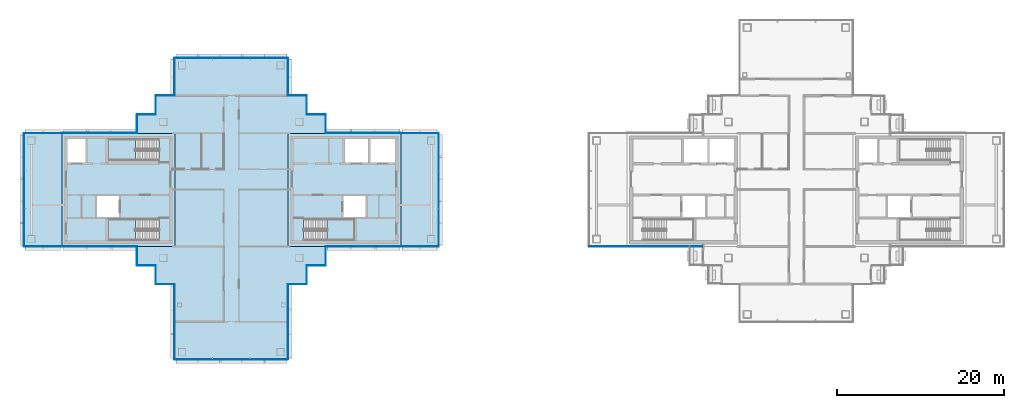
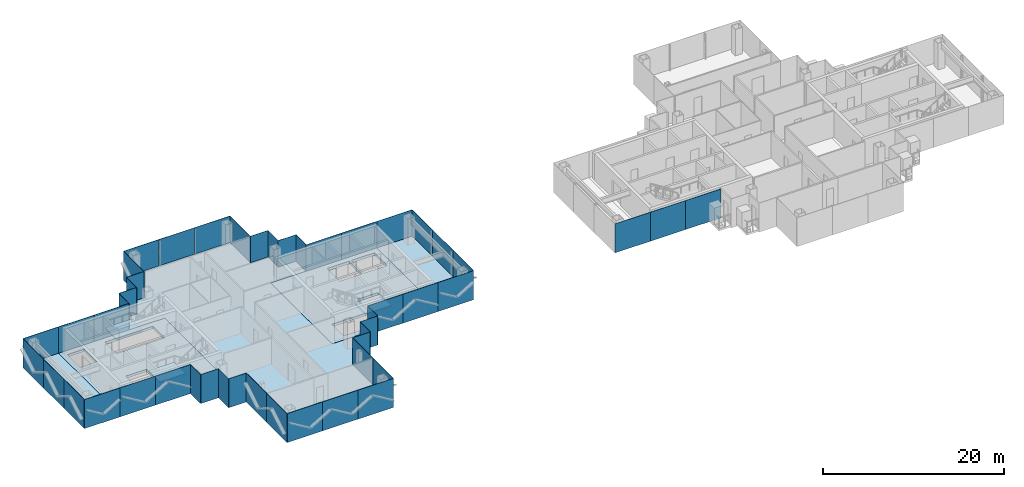
# One storey, part 7 of 17: 49 plates, 8 slabs, 25 elements without a shape of their own.
"""IFC4 building model written with IfcOpenShell, lengths in metres."""

from ifc_helpers import new_model, si_unit, direction, frame, origin, origin_2d, place, context, subcontext, project, spatial, polyline, rectangle, outline, extrude, material, layer, layer_set, type_object, element, aggregate, save


model = new_model("IFC4")

# Units and contexts
model_context = context("Model", 3, precision=1e-05, world=origin(), true_north=direction((0.0, 1.0)))
body_context = subcontext(model_context, "Body", "Model", "MODEL_VIEW")
ifc_project = project(units=[si_unit("LENGTHUNIT", "METRE"), si_unit("AREAUNIT", "SQUARE_METRE"), si_unit("VOLUMEUNIT", "CUBIC_METRE"), si_unit("PLANEANGLEUNIT", "RADIAN"), si_unit("MASSUNIT", "GRAM", prefix="KILO")], contexts=[model_context])

# Site, building, storey
site_placement = place(None, origin())
site = spatial("IfcSite", under=ifc_project, at=site_placement, CompositionType="ELEMENT")
building_placement = place(site_placement, origin())
building = spatial("IfcBuilding", under=site, at=building_placement, Name="Shamsa Quay Exchange Towers", CompositionType="ELEMENT")
storey_placement = place(building_placement, frame((0.0, 0.0, 234.300048828125)))
storey = spatial("IfcBuildingStorey", under=building, at=storey_placement, Name="L56", CompositionType="ELEMENT", Elevation=234.300048828125)

# Slabs
ifc_material_1 = material(Name="Concrete C50/60", Category="concrete")
ifc_layer_1 = layer(ifc_material_1, 0.35009765625)
ifc_layer_set_1 = layer_set([ifc_layer_1], Name="CORE FLOOR 350 C50/60")
slab_type_1 = type_object("IfcSlabType", Name="CORE FLOOR 350 C50/60", PredefinedType="FLOOR", material=ifc_layer_set_1)
slab_1_placement = place(storey_placement, frame((0.0, 0.0, -0.35009765625)))
element("IfcSlab", 1, at=slab_1_placement, inside=storey, type_object=slab_type_1, Name="Core floor T1A", PredefinedType="FLOOR", context=body_context, shape_type="SweptSolid", body=[
    extrude(outline(polyline([(-27.0, -6.75), (-13.5, -6.75), (-13.5, 6.75), (-27.0, 6.75), (-27.0, -6.75)]), holes=[polyline([(-25.099365234375, -6.050048828125), (-25.099365234375, -3.5), (-19.0, -3.5), (-19.0, -6.050048828125), (-25.099365234375, -6.050048828125)]), polyline([(-20.199951171875, 3.25), (-20.199951171875, 6.050048828125), (-17.39990234375, 6.050048828125), (-17.39990234375, 3.25), (-20.199951171875, 3.25)]), polyline([(-17.14990234375, 3.25), (-17.14990234375, 6.050048828125), (-14.199951171875, 6.050048828125), (-14.199951171875, 3.25), (-17.14990234375, 3.25)]), polyline([(-20.35009765625, -3.25), (-20.35009765625, -0.75), (-17.699951171875, -0.75), (-17.699951171875, -3.25), (-20.35009765625, -3.25)])]), origin(), (0.0, 0.0, 1.0), 0.35009765625),
])
slab_2_placement = place(storey_placement, frame((0.0, 0.0, -0.35009765625)))
element("IfcSlab", 2, at=slab_2_placement, inside=storey, type_object=slab_type_1, Name="Core floor T1B", PredefinedType="FLOOR", context=body_context, shape_type="SweptSolid", body=[
    extrude(outline(polyline([(-40.5, -6.75), (-40.5, 6.75), (-54.0, 6.75), (-54.0, -6.75), (-40.5, -6.75)]), holes=[polyline([(-42.400634765625, -3.5), (-42.400634765625, -6.050048828125), (-48.5, -6.050048828125), (-48.5, -3.5), (-42.400634765625, -3.5)]), polyline([(-42.400634765625, 6.050048828125), (-42.400634765625, 3.5), (-48.5, 3.5), (-48.5, 6.050048828125), (-42.400634765625, 6.050048828125)]), polyline([(-51.14990234375, 3.25), (-53.300048828125, 3.25), (-53.300048828125, 6.050048828125), (-51.14990234375, 6.050048828125), (-51.14990234375, 3.25)]), polyline([(-47.14990234375, -3.25), (-49.800048828125, -3.25), (-49.800048828125, -0.75), (-47.14990234375, -0.75), (-47.14990234375, -3.25)])]), origin(), (0.0, 0.0, 1.0), 0.35009765625),
])

# Stair, slab
ifc_material_2 = material(Name="Concrete C40/50", Category="concrete")
stair_type = type_object("IfcStairType", Name="EXIT STAIR 22 RISERS 177 MM", PredefinedType="HALF_TURN_STAIR", material=ifc_material_2)
stair_1_placement = place(storey_placement, origin())
stair_1 = element("IfcStair", 3, at=stair_1_placement, inside=storey, type_object=stair_type, Name="L56 Exit stair ST1", PredefinedType="HALF_TURN_STAIR")
ifc_layer_2 = layer(ifc_material_2, 0.199951171875)
ifc_layer_set_2 = layer_set([ifc_layer_2], Name="CORE STAIR LANDING")
slab_type_2 = type_object("IfcSlabType", Name="CORE STAIR LANDING", PredefinedType="LANDING", material=ifc_layer_set_2)
slab_3_placement = place(storey_placement, frame((0.0, 0.0, 1.75)))
slab_3 = element("IfcSlab", 4, at=slab_3_placement, type_object=slab_type_2, Name="ST1 landing 1", PredefinedType="LANDING", context=body_context, shape_type="SweptSolid", body=[
    extrude(outline(polyline([(-22.300048828125, -6.050048828125), (-19.0, -6.050048828125), (-19.0, -3.5), (-22.300048828125, -3.5), (-22.300048828125, -6.050048828125)])), origin(), (0.0, 0.0, 1.0), 0.199951171875),
])
aggregate(stair_1, [slab_3])

stair_2_placement = place(storey_placement, origin())
stair_2 = element("IfcStair", 5, at=stair_2_placement, inside=storey, type_object=stair_type, Name="L56 Exit stair ST2", PredefinedType="HALF_TURN_STAIR")
slab_4_placement = place(storey_placement, frame((0.0, 0.0, 1.75)))
slab_4 = element("IfcSlab", 6, at=slab_4_placement, type_object=slab_type_2, Name="ST2 landing 1", PredefinedType="LANDING", context=body_context, shape_type="SweptSolid", body=[
    extrude(outline(polyline([(-45.199951171875, -3.5), (-48.5, -3.5), (-48.5, -6.050048828125), (-45.199951171875, -6.050048828125), (-45.199951171875, -3.5)])), origin(), (0.0, 0.0, 1.0), 0.199951171875),
])
aggregate(stair_2, [slab_4])

stair_3_placement = place(storey_placement, origin())
stair_3 = element("IfcStair", 7, at=stair_3_placement, inside=storey, type_object=stair_type, Name="L56 Exit stair ST3", PredefinedType="HALF_TURN_STAIR")
slab_5_placement = place(storey_placement, frame((0.0, 0.0, 1.75)))
slab_5 = element("IfcSlab", 8, at=slab_5_placement, type_object=slab_type_2, Name="ST3 landing 1", PredefinedType="LANDING", context=body_context, shape_type="SweptSolid", body=[
    extrude(outline(polyline([(-45.199951171875, 6.050048828125), (-48.5, 6.050048828125), (-48.5, 3.5), (-45.199951171875, 3.5), (-45.199951171875, 6.050048828125)])), origin(), (0.0, 0.0, 1.0), 0.199951171875),
])
aggregate(stair_3, [slab_5])

# Curtain wall, plates
ifc_material_3 = material(Name="Aluminium EN AW-6063 T6, black anodised", Category="aluminium")
ifc_layer_3 = layer(ifc_material_3, 0.280029296875)
ifc_layer_set_3 = layer_set([ifc_layer_3], Name="CW-1 UNITISED VISION GLASS")
curtain_wall_type_1 = type_object("IfcCurtainWallType", Name="CW-1 UNITISED VISION GLASS", PredefinedType="NOTDEFINED", material=ifc_layer_set_3)
curtain_wall_1_placement = place(storey_placement, origin())
curtain_wall_1 = element("IfcCurtainWall", 9, at=curtain_wall_1_placement, inside=storey, type_object=curtain_wall_type_1, Name="CW1 T1-FLK-V-W L56", PredefinedType="NOTDEFINED")
ifc_material_4 = material(Name="Glass, laminated, dark tinted", Category="glass")
ifc_layer_4 = layer(ifc_material_4, 0.0400390625)
ifc_layer_set_4 = layer_set([ifc_layer_4], Name="CW-1 VISION GLASS 40")
plate_type_1 = type_object("IfcPlateType", Name="CW-1 VISION GLASS 40", PredefinedType="CURTAIN_PANEL", material=ifc_layer_set_4)
plate_1_placement = place(storey_placement, frame((-40.52001953125, -13.52587890625, -0.35009765625), z_axis=(0.0, 0.0, 1.0), x_axis=(0.0, -1.0, 0.0)))
plate_1 = element("IfcPlate", 10, at=plate_1_placement, type_object=plate_type_1, Name="CW1 glass panel", PredefinedType="CURTAIN_PANEL", context=body_context, shape_type="SweptSolid", body=[
    extrude(rectangle(XDim=4.47607421875, YDim=0.0400390625, at=origin_2d()), origin(), (0.0, 0.0, 1.0), 3.89990234375),
])
plate_2_placement = place(storey_placement, frame((-40.52001953125, -18.011962890625, -0.35009765625), z_axis=(0.0, 0.0, 1.0), x_axis=(0.0, -1.0, 0.0)))
plate_2 = element("IfcPlate", 11, at=plate_2_placement, type_object=plate_type_1, Name="CW1 glass panel", PredefinedType="CURTAIN_PANEL", context=body_context, shape_type="SweptSolid", body=[
    extrude(rectangle(XDim=4.47607421875, YDim=0.0400390625, at=origin_2d()), origin(), (0.0, 0.0, 1.0), 3.89990234375),
])
aggregate(curtain_wall_1, [plate_1, plate_2])

curtain_wall_2_placement = place(storey_placement, origin())
curtain_wall_2 = element("IfcCurtainWall", 12, at=curtain_wall_2_placement, inside=storey, type_object=curtain_wall_type_1, Name="CW1 T1-END-V- L56", PredefinedType="NOTDEFINED")
plate_3_placement = place(storey_placement, frame((-38.25244140625, -20.27001953125, -0.35009765625)))
plate_3 = element("IfcPlate", 13, at=plate_3_placement, type_object=plate_type_1, Name="CW1 glass panel", PredefinedType="CURTAIN_PANEL", context=body_context, shape_type="SweptSolid", body=[
    extrude(rectangle(XDim=4.4951171875, YDim=0.0400390625, at=origin_2d()), origin(), (0.0, 0.0, 1.0), 3.89990234375),
])
plate_4_placement = place(storey_placement, frame((-33.75, -20.27001953125, -0.35009765625)))
plate_4 = element("IfcPlate", 14, at=plate_4_placement, type_object=plate_type_1, Name="CW1 glass panel", PredefinedType="CURTAIN_PANEL", context=body_context, shape_type="SweptSolid", body=[
    extrude(rectangle(XDim=4.489990234375, YDim=0.0400390625, at=origin_2d()), origin(), (0.0, 0.0, 1.0), 3.89990234375),
])
plate_5_placement = place(storey_placement, frame((-29.24755859375, -20.27001953125, -0.35009765625)))
plate_5 = element("IfcPlate", 15, at=plate_5_placement, type_object=plate_type_1, Name="CW1 glass panel", PredefinedType="CURTAIN_PANEL", context=body_context, shape_type="SweptSolid", body=[
    extrude(rectangle(XDim=4.4951171875, YDim=0.0400390625, at=origin_2d()), origin(), (0.0, 0.0, 1.0), 3.89990234375),
])
aggregate(curtain_wall_2, [plate_3, plate_4, plate_5])

curtain_wall_3_placement = place(storey_placement, origin())
curtain_wall_3 = element("IfcCurtainWall", 16, at=curtain_wall_3_placement, inside=storey, type_object=curtain_wall_type_1, Name="CW1 T1-FLK-V-E L56", PredefinedType="NOTDEFINED")
plate_6_placement = place(storey_placement, frame((-26.97998046875, -18.00244140625, -0.35009765625), z_axis=(0.0, 0.0, 1.0), x_axis=(0.0, 1.0, 0.0)))
plate_6 = element("IfcPlate", 17, at=plate_6_placement, type_object=plate_type_1, Name="CW1 glass panel", PredefinedType="CURTAIN_PANEL", context=body_context, shape_type="SweptSolid", body=[
    extrude(rectangle(XDim=4.4951171875, YDim=0.0400390625, at=origin_2d()), origin(), (0.0, 0.0, 1.0), 3.89990234375),
])
plate_7_placement = place(storey_placement, frame((-26.97998046875, -13.49755859375, -0.35009765625), z_axis=(0.0, 0.0, 1.0), x_axis=(0.0, 1.0, 0.0)))
plate_7 = element("IfcPlate", 18, at=plate_7_placement, type_object=plate_type_1, Name="CW1 glass panel", PredefinedType="CURTAIN_PANEL", context=body_context, shape_type="SweptSolid", body=[
    extrude(rectangle(XDim=4.4951171875, YDim=0.0400390625, at=origin_2d()), origin(), (0.0, 0.0, 1.0), 3.89990234375),
])
aggregate(curtain_wall_3, [plate_6, plate_7])

# Curtain wall, plate
curtain_wall_4_placement = place(storey_placement, origin())
curtain_wall_4 = element("IfcCurtainWall", 19, at=curtain_wall_4_placement, inside=storey, type_object=curtain_wall_type_1, Name="CW1 T1-FLK-U+S L56", PredefinedType="NOTDEFINED")
plate_8_placement = place(storey_placement, frame((-11.25, -6.77001953125, -0.35009765625)))
plate_8 = element("IfcPlate", 20, at=plate_8_placement, type_object=plate_type_1, Name="CW1 glass panel", PredefinedType="CURTAIN_PANEL", context=body_context, shape_type="SweptSolid", body=[
    extrude(rectangle(XDim=4.5, YDim=0.0400390625, at=origin_2d()), origin(), (0.0, 0.0, 1.0), 3.89990234375),
])
aggregate(curtain_wall_4, [plate_8])

# Curtain wall, plates
curtain_wall_5_placement = place(storey_placement, origin())
curtain_wall_5 = element("IfcCurtainWall", 21, at=curtain_wall_5_placement, inside=storey, type_object=curtain_wall_type_1, Name="CW1 T1-END-U+ L56", PredefinedType="NOTDEFINED")
plate_9_placement = place(storey_placement, frame((-8.97998046875, -4.50244140625, -0.35009765625), z_axis=(0.0, 0.0, 1.0), x_axis=(0.0, 1.0, 0.0)))
plate_9 = element("IfcPlate", 22, at=plate_9_placement, type_object=plate_type_1, Name="CW1 glass panel", PredefinedType="CURTAIN_PANEL", context=body_context, shape_type="SweptSolid", body=[
    extrude(rectangle(XDim=4.4951171875, YDim=0.0400390625, at=origin_2d()), origin(), (0.0, 0.0, 1.0), 3.89990234375),
])
plate_10_placement = place(storey_placement, frame((-8.97998046875, 0.0, -0.35009765625), z_axis=(0.0, 0.0, 1.0), x_axis=(0.0, 1.0, 0.0)))
plate_10 = element("IfcPlate", 23, at=plate_10_placement, type_object=plate_type_1, Name="CW1 glass panel", PredefinedType="CURTAIN_PANEL", context=body_context, shape_type="SweptSolid", body=[
    extrude(rectangle(XDim=4.489990234375, YDim=0.0400390625, at=origin_2d()), origin(), (0.0, 0.0, 1.0), 3.89990234375),
])
plate_11_placement = place(storey_placement, frame((-8.97998046875, 4.50244140625, -0.35009765625), z_axis=(0.0, 0.0, 1.0), x_axis=(0.0, 1.0, 0.0)))
plate_11 = element("IfcPlate", 24, at=plate_11_placement, type_object=plate_type_1, Name="CW1 glass panel", PredefinedType="CURTAIN_PANEL", context=body_context, shape_type="SweptSolid", body=[
    extrude(rectangle(XDim=4.4951171875, YDim=0.0400390625, at=origin_2d()), origin(), (0.0, 0.0, 1.0), 3.89990234375),
])
aggregate(curtain_wall_5, [plate_9, plate_10, plate_11])

# Curtain wall, plate
curtain_wall_6_placement = place(storey_placement, origin())
curtain_wall_6 = element("IfcCurtainWall", 25, at=curtain_wall_6_placement, inside=storey, type_object=curtain_wall_type_1, Name="CW1 T1-FLK-U+N L56", PredefinedType="NOTDEFINED")
plate_12_placement = place(storey_placement, frame((-11.25, 6.77001953125, -0.35009765625), z_axis=(0.0, 0.0, 1.0), x_axis=(-1.0, 0.0, 0.0)))
plate_12 = element("IfcPlate", 26, at=plate_12_placement, type_object=plate_type_1, Name="CW1 glass panel", PredefinedType="CURTAIN_PANEL", context=body_context, shape_type="SweptSolid", body=[
    extrude(rectangle(XDim=4.5, YDim=0.0400390625, at=origin_2d()), origin(), (0.0, 0.0, 1.0), 3.89990234375),
])
aggregate(curtain_wall_6, [plate_12])

curtain_wall_7_placement = place(storey_placement, origin())
curtain_wall_7 = element("IfcCurtainWall", 27, at=curtain_wall_7_placement, inside=storey, type_object=curtain_wall_type_1, Name="CW1 T1-FLK-V+E L56", PredefinedType="NOTDEFINED")
plate_13_placement = place(storey_placement, frame((-26.97998046875, 13.51904296875, -0.35009765625), z_axis=(0.0, 0.0, 1.0), x_axis=(0.0, 1.0, 0.0)))
plate_13 = element("IfcPlate", 28, at=plate_13_placement, type_object=plate_type_1, Name="CW1 glass panel", PredefinedType="CURTAIN_PANEL", context=body_context, shape_type="SweptSolid", body=[
    extrude(rectangle(XDim=4.4619140625, YDim=0.0400390625, at=origin_2d()), origin(), (0.0, 0.0, 1.0), 3.89990234375),
])
aggregate(curtain_wall_7, [plate_13])

# Curtain wall, plates
curtain_wall_8_placement = place(storey_placement, origin())
curtain_wall_8 = element("IfcCurtainWall", 29, at=curtain_wall_8_placement, inside=storey, type_object=curtain_wall_type_1, Name="CW1 T1-END-V+ L56", PredefinedType="NOTDEFINED")
plate_14_placement = place(storey_placement, frame((-29.24755859375, 15.77001953125, -0.35009765625), z_axis=(0.0, 0.0, 1.0), x_axis=(-1.0, 0.0, 0.0)))
plate_14 = element("IfcPlate", 30, at=plate_14_placement, type_object=plate_type_1, Name="CW1 glass panel", PredefinedType="CURTAIN_PANEL", context=body_context, shape_type="SweptSolid", body=[
    extrude(rectangle(XDim=4.4951171875, YDim=0.0400390625, at=origin_2d()), origin(), (0.0, 0.0, 1.0), 3.89990234375),
])
plate_15_placement = place(storey_placement, frame((-33.75, 15.77001953125, -0.35009765625), z_axis=(0.0, 0.0, 1.0), x_axis=(-1.0, 0.0, 0.0)))
plate_15 = element("IfcPlate", 31, at=plate_15_placement, type_object=plate_type_1, Name="CW1 glass panel", PredefinedType="CURTAIN_PANEL", context=body_context, shape_type="SweptSolid", body=[
    extrude(rectangle(XDim=4.489990234375, YDim=0.0400390625, at=origin_2d()), origin(), (0.0, 0.0, 1.0), 3.89990234375),
])
plate_16_placement = place(storey_placement, frame((-38.25244140625, 15.77001953125, -0.35009765625), z_axis=(0.0, 0.0, 1.0), x_axis=(-1.0, 0.0, 0.0)))
plate_16 = element("IfcPlate", 32, at=plate_16_placement, type_object=plate_type_1, Name="CW1 glass panel", PredefinedType="CURTAIN_PANEL", context=body_context, shape_type="SweptSolid", body=[
    extrude(rectangle(XDim=4.4951171875, YDim=0.0400390625, at=origin_2d()), origin(), (0.0, 0.0, 1.0), 3.89990234375),
])
aggregate(curtain_wall_8, [plate_14, plate_15, plate_16])

# Curtain wall, plate
curtain_wall_9_placement = place(storey_placement, origin())
curtain_wall_9 = element("IfcCurtainWall", 33, at=curtain_wall_9_placement, inside=storey, type_object=curtain_wall_type_1, Name="CW1 T1-FLK-V+W L56", PredefinedType="NOTDEFINED")
plate_17_placement = place(storey_placement, frame((-40.52001953125, 13.5, -0.35009765625), z_axis=(0.0, 0.0, 1.0), x_axis=(0.0, -1.0, 0.0)))
plate_17 = element("IfcPlate", 34, at=plate_17_placement, type_object=plate_type_1, Name="CW1 glass panel", PredefinedType="CURTAIN_PANEL", context=body_context, shape_type="SweptSolid", body=[
    extrude(rectangle(XDim=4.5, YDim=0.0400390625, at=origin_2d()), origin(), (0.0, 0.0, 1.0), 3.89990234375),
])
aggregate(curtain_wall_9, [plate_17])

curtain_wall_10_placement = place(storey_placement, origin())
curtain_wall_10 = element("IfcCurtainWall", 35, at=curtain_wall_10_placement, inside=storey, type_object=curtain_wall_type_1, Name="CW1 T1-FLK-U-N L56", PredefinedType="NOTDEFINED")
plate_18_placement = place(storey_placement, frame((-56.25, 6.77001953125, -0.35009765625), z_axis=(0.0, 0.0, 1.0), x_axis=(-1.0, 0.0, 0.0)))
plate_18 = element("IfcPlate", 36, at=plate_18_placement, type_object=plate_type_1, Name="CW1 glass panel", PredefinedType="CURTAIN_PANEL", context=body_context, shape_type="SweptSolid", body=[
    extrude(rectangle(XDim=4.5, YDim=0.0400390625, at=origin_2d()), origin(), (0.0, 0.0, 1.0), 3.89990234375),
])
aggregate(curtain_wall_10, [plate_18])

# Curtain wall, plates
curtain_wall_11_placement = place(storey_placement, origin())
curtain_wall_11 = element("IfcCurtainWall", 37, at=curtain_wall_11_placement, inside=storey, type_object=curtain_wall_type_1, Name="CW1 T1-END-U- L56", PredefinedType="NOTDEFINED")
plate_19_placement = place(storey_placement, frame((-58.52001953125, 4.50244140625, -0.35009765625), z_axis=(0.0, 0.0, 1.0), x_axis=(0.0, -1.0, 0.0)))
plate_19 = element("IfcPlate", 38, at=plate_19_placement, type_object=plate_type_1, Name="CW1 glass panel", PredefinedType="CURTAIN_PANEL", context=body_context, shape_type="SweptSolid", body=[
    extrude(rectangle(XDim=4.4951171875, YDim=0.0400390625, at=origin_2d()), origin(), (0.0, 0.0, 1.0), 3.89990234375),
])
plate_20_placement = place(storey_placement, frame((-58.52001953125, 0.0, -0.35009765625), z_axis=(0.0, 0.0, 1.0), x_axis=(0.0, -1.0, 0.0)))
plate_20 = element("IfcPlate", 39, at=plate_20_placement, type_object=plate_type_1, Name="CW1 glass panel", PredefinedType="CURTAIN_PANEL", context=body_context, shape_type="SweptSolid", body=[
    extrude(rectangle(XDim=4.489990234375, YDim=0.0400390625, at=origin_2d()), origin(), (0.0, 0.0, 1.0), 3.89990234375),
])
plate_21_placement = place(storey_placement, frame((-58.52001953125, -4.50244140625, -0.35009765625), z_axis=(0.0, 0.0, 1.0), x_axis=(0.0, -1.0, 0.0)))
plate_21 = element("IfcPlate", 40, at=plate_21_placement, type_object=plate_type_1, Name="CW1 glass panel", PredefinedType="CURTAIN_PANEL", context=body_context, shape_type="SweptSolid", body=[
    extrude(rectangle(XDim=4.4951171875, YDim=0.0400390625, at=origin_2d()), origin(), (0.0, 0.0, 1.0), 3.89990234375),
])
aggregate(curtain_wall_11, [plate_19, plate_20, plate_21])

# Curtain wall, plate
curtain_wall_12_placement = place(storey_placement, origin())
curtain_wall_12 = element("IfcCurtainWall", 41, at=curtain_wall_12_placement, inside=storey, type_object=curtain_wall_type_1, Name="CW1 T1-FLK-U-S L56", PredefinedType="NOTDEFINED")
plate_22_placement = place(storey_placement, frame((-56.25, -6.77001953125, -0.35009765625)))
plate_22 = element("IfcPlate", 42, at=plate_22_placement, type_object=plate_type_1, Name="CW1 glass panel", PredefinedType="CURTAIN_PANEL", context=body_context, shape_type="SweptSolid", body=[
    extrude(rectangle(XDim=4.5, YDim=0.0400390625, at=origin_2d()), origin(), (0.0, 0.0, 1.0), 3.89990234375),
])
aggregate(curtain_wall_12, [plate_22])

curtain_wall_13_placement = place(storey_placement, origin())
curtain_wall_13 = element("IfcCurtainWall", 43, at=curtain_wall_13_placement, inside=storey, type_object=curtain_wall_type_1, Name="CW1 T2-FLK-V+W L56", PredefinedType="NOTDEFINED")
plate_23_placement = place(storey_placement, frame((11.25, -6.77001953125, -0.35009765625)))
plate_23 = element("IfcPlate", 44, at=plate_23_placement, type_object=plate_type_1, Name="CW1 glass panel", PredefinedType="CURTAIN_PANEL", context=body_context, shape_type="SweptSolid", body=[
    extrude(rectangle(XDim=4.5, YDim=0.0400390625, at=origin_2d()), origin(), (0.0, 0.0, 1.0), 3.89990234375),
])
aggregate(curtain_wall_13, [plate_23])

# Curtain wall, plates
ifc_layer_5 = layer(ifc_material_3, 0.303955078125)
ifc_layer_set_5 = layer_set([ifc_layer_5], Name="CW-2 UNITISED OPAQUE SPANDREL GLASS")
curtain_wall_type_2 = type_object("IfcCurtainWallType", Name="CW-2 UNITISED OPAQUE SPANDREL GLASS", PredefinedType="NOTDEFINED", material=ifc_layer_set_5)
curtain_wall_14_placement = place(storey_placement, origin())
curtain_wall_14 = element("IfcCurtainWall", 45, at=curtain_wall_14_placement, inside=storey, type_object=curtain_wall_type_2, Name="CW2 T1-FLK-U+S L56", PredefinedType="NOTDEFINED")
ifc_material_5 = material(Name="Glass, laminated, black enamelled opaque", Category="glass")
ifc_layer_6 = layer(ifc_material_5, 0.0439453125)
ifc_layer_set_6 = layer_set([ifc_layer_6], Name="CW-2 SPANDREL GLASS 44")
plate_type_2 = type_object("IfcPlateType", Name="CW-2 SPANDREL GLASS 44", PredefinedType="CURTAIN_PANEL", material=ifc_layer_set_6)
plate_24_placement = place(storey_placement, frame((-20.22412109375, -6.77197265625, -0.35009765625)))
plate_24 = element("IfcPlate", 46, at=plate_24_placement, type_object=plate_type_2, Name="CW2 glass panel", PredefinedType="CURTAIN_PANEL", context=body_context, shape_type="SweptSolid", body=[
    extrude(rectangle(XDim=4.47607421875, YDim=0.0439453125, at=origin_2d()), origin(), (0.0, 0.0, 1.0), 3.89990234375),
])
plate_25_placement = place(storey_placement, frame((-15.738037109375, -6.77197265625, -0.35009765625)))
plate_25 = element("IfcPlate", 47, at=plate_25_placement, type_object=plate_type_2, Name="CW2 glass panel", PredefinedType="CURTAIN_PANEL", context=body_context, shape_type="SweptSolid", body=[
    extrude(rectangle(XDim=4.47607421875, YDim=0.0439453125, at=origin_2d()), origin(), (0.0, 0.0, 1.0), 3.89990234375),
])
aggregate(curtain_wall_14, [plate_24, plate_25])

curtain_wall_15_placement = place(storey_placement, origin())
curtain_wall_15 = element("IfcCurtainWall", 48, at=curtain_wall_15_placement, inside=storey, type_object=curtain_wall_type_2, Name="CW2 T1-FLK-U+N L56", PredefinedType="NOTDEFINED")
plate_26_placement = place(storey_placement, frame((-15.74755859375, 6.77197265625, -0.35009765625), z_axis=(0.0, 0.0, 1.0), x_axis=(-1.0, 0.0, 0.0)))
plate_26 = element("IfcPlate", 49, at=plate_26_placement, type_object=plate_type_2, Name="CW2 glass panel", PredefinedType="CURTAIN_PANEL", context=body_context, shape_type="SweptSolid", body=[
    extrude(rectangle(XDim=4.4951171875, YDim=0.0439453125, at=origin_2d()), origin(), (0.0, 0.0, 1.0), 3.89990234375),
])
plate_27_placement = place(storey_placement, frame((-20.25244140625, 6.77197265625, -0.35009765625), z_axis=(0.0, 0.0, 1.0), x_axis=(-1.0, 0.0, 0.0)))
plate_27 = element("IfcPlate", 50, at=plate_27_placement, type_object=plate_type_2, Name="CW2 glass panel", PredefinedType="CURTAIN_PANEL", context=body_context, shape_type="SweptSolid", body=[
    extrude(rectangle(XDim=4.4951171875, YDim=0.0439453125, at=origin_2d()), origin(), (0.0, 0.0, 1.0), 3.89990234375),
])
aggregate(curtain_wall_15, [plate_26, plate_27])

curtain_wall_16_placement = place(storey_placement, origin())
curtain_wall_16 = element("IfcCurtainWall", 51, at=curtain_wall_16_placement, inside=storey, type_object=curtain_wall_type_2, Name="CW2 T1-FLK-U-N L56", PredefinedType="NOTDEFINED")
plate_28_placement = place(storey_placement, frame((-47.27587890625, 6.77197265625, -0.35009765625), z_axis=(0.0, 0.0, 1.0), x_axis=(-1.0, 0.0, 0.0)))
plate_28 = element("IfcPlate", 52, at=plate_28_placement, type_object=plate_type_2, Name="CW2 glass panel", PredefinedType="CURTAIN_PANEL", context=body_context, shape_type="SweptSolid", body=[
    extrude(rectangle(XDim=4.47607421875, YDim=0.0439453125, at=origin_2d()), origin(), (0.0, 0.0, 1.0), 3.89990234375),
])
plate_29_placement = place(storey_placement, frame((-51.761962890625, 6.77197265625, -0.35009765625), z_axis=(0.0, 0.0, 1.0), x_axis=(-1.0, 0.0, 0.0)))
plate_29 = element("IfcPlate", 53, at=plate_29_placement, type_object=plate_type_2, Name="CW2 glass panel", PredefinedType="CURTAIN_PANEL", context=body_context, shape_type="SweptSolid", body=[
    extrude(rectangle(XDim=4.47607421875, YDim=0.0439453125, at=origin_2d()), origin(), (0.0, 0.0, 1.0), 3.89990234375),
])
aggregate(curtain_wall_16, [plate_28, plate_29])

curtain_wall_17_placement = place(storey_placement, origin())
curtain_wall_17 = element("IfcCurtainWall", 54, at=curtain_wall_17_placement, inside=storey, type_object=curtain_wall_type_2, Name="CW2 T1-FLK-U-S L56", PredefinedType="NOTDEFINED")
plate_30_placement = place(storey_placement, frame((-51.75244140625, -6.77197265625, -0.35009765625)))
plate_30 = element("IfcPlate", 55, at=plate_30_placement, type_object=plate_type_2, Name="CW2 glass panel", PredefinedType="CURTAIN_PANEL", context=body_context, shape_type="SweptSolid", body=[
    extrude(rectangle(XDim=4.4951171875, YDim=0.0439453125, at=origin_2d()), origin(), (0.0, 0.0, 1.0), 3.89990234375),
])
plate_31_placement = place(storey_placement, frame((-47.24755859375, -6.77197265625, -0.35009765625)))
plate_31 = element("IfcPlate", 56, at=plate_31_placement, type_object=plate_type_2, Name="CW2 glass panel", PredefinedType="CURTAIN_PANEL", context=body_context, shape_type="SweptSolid", body=[
    extrude(rectangle(XDim=4.4951171875, YDim=0.0439453125, at=origin_2d()), origin(), (0.0, 0.0, 1.0), 3.89990234375),
])
aggregate(curtain_wall_17, [plate_30, plate_31])

curtain_wall_18_placement = place(storey_placement, origin())
curtain_wall_18 = element("IfcCurtainWall", 57, at=curtain_wall_18_placement, inside=storey, type_object=curtain_wall_type_2, Name="CW2 T2-FLK-V+W L56", PredefinedType="NOTDEFINED")
plate_32_placement = place(storey_placement, frame((15.74755859375, -6.77197265625, -0.35009765625)))
plate_32 = element("IfcPlate", 58, at=plate_32_placement, type_object=plate_type_2, Name="CW2 glass panel", PredefinedType="CURTAIN_PANEL", context=body_context, shape_type="SweptSolid", body=[
    extrude(rectangle(XDim=4.4951171875, YDim=0.0439453125, at=origin_2d()), origin(), (0.0, 0.0, 1.0), 3.89990234375),
])
plate_33_placement = place(storey_placement, frame((20.25244140625, -6.77197265625, -0.35009765625)))
plate_33 = element("IfcPlate", 59, at=plate_33_placement, type_object=plate_type_2, Name="CW2 glass panel", PredefinedType="CURTAIN_PANEL", context=body_context, shape_type="SweptSolid", body=[
    extrude(rectangle(XDim=4.4951171875, YDim=0.0439453125, at=origin_2d()), origin(), (0.0, 0.0, 1.0), 3.89990234375),
])
aggregate(curtain_wall_18, [plate_32, plate_33])

ifc_layer_7 = layer(ifc_material_3, 0.256103515625)
ifc_layer_set_7 = layer_set([ifc_layer_7], Name="CW-4 POCKET SERRATED GLAZING")
curtain_wall_type_3 = type_object("IfcCurtainWallType", Name="CW-4 POCKET SERRATED GLAZING", PredefinedType="NOTDEFINED", material=ifc_layer_set_7)
curtain_wall_19_placement = place(storey_placement, origin())
curtain_wall_19 = element("IfcCurtainWall", 60, at=curtain_wall_19_placement, inside=storey, type_object=curtain_wall_type_3, Name="CW4 PKWS L56", PredefinedType="NOTDEFINED")
ifc_layer_8 = layer(ifc_material_4, 0.035888671875)
ifc_layer_set_8 = layer_set([ifc_layer_8], Name="CW-4 POCKET GLASS 36")
plate_type_3 = type_object("IfcPlateType", Name="CW-4 POCKET GLASS 36", PredefinedType="CURTAIN_PANEL", material=ifc_layer_set_8)
plate_34_placement = place(storey_placement, frame((-42.76806640625, -10.14404296875, -0.35009765625), z_axis=(0.0, 0.0, 1.0), x_axis=(0.0, -1.0, 0.0)))
plate_34 = element("IfcPlate", 61, at=plate_34_placement, type_object=plate_type_3, Name="CW4 glass panel", PredefinedType="CURTAIN_PANEL", context=body_context, shape_type="SweptSolid", body=[
    extrude(rectangle(XDim=2.2119140625, YDim=0.035888671875, at=origin_2d()), origin(), (0.0, 0.0, 1.0), 3.89990234375),
])
plate_35_placement = place(storey_placement, frame((-41.625, -11.26806640625, -0.35009765625)))
plate_35 = element("IfcPlate", 62, at=plate_35_placement, type_object=plate_type_3, Name="CW4 glass panel", PredefinedType="CURTAIN_PANEL", context=body_context, shape_type="SweptSolid", body=[
    extrude(rectangle(XDim=2.25, YDim=0.035888671875, at=origin_2d()), origin(), (0.0, 0.0, 1.0), 3.89990234375),
])
plate_36_placement = place(storey_placement, frame((-45.01806640625, -7.89794921875, -0.35009765625), z_axis=(0.0, 0.0, 1.0), x_axis=(0.0, -1.0, 0.0)))
plate_36 = element("IfcPlate", 63, at=plate_36_placement, type_object=plate_type_3, Name="CW4 glass panel", PredefinedType="CURTAIN_PANEL", context=body_context, shape_type="SweptSolid", body=[
    extrude(rectangle(XDim=2.2041015625, YDim=0.035888671875, at=origin_2d()), origin(), (0.0, 0.0, 1.0), 3.89990234375),
])
plate_37_placement = place(storey_placement, frame((-43.875, -9.01806640625, -0.35009765625)))
plate_37 = element("IfcPlate", 64, at=plate_37_placement, type_object=plate_type_3, Name="CW4 glass panel", PredefinedType="CURTAIN_PANEL", context=body_context, shape_type="SweptSolid", body=[
    extrude(rectangle(XDim=2.25, YDim=0.035888671875, at=origin_2d()), origin(), (0.0, 0.0, 1.0), 3.89990234375),
])
aggregate(curtain_wall_19, [plate_34, plate_35, plate_36, plate_37])

curtain_wall_20_placement = place(storey_placement, origin())
curtain_wall_20 = element("IfcCurtainWall", 65, at=curtain_wall_20_placement, inside=storey, type_object=curtain_wall_type_3, Name="CW4 PKES L56", PredefinedType="NOTDEFINED")
plate_38_placement = place(storey_placement, frame((-25.85400390625, -11.26806640625, -0.35009765625)))
plate_38 = element("IfcPlate", 66, at=plate_38_placement, type_object=plate_type_3, Name="CW4 glass panel", PredefinedType="CURTAIN_PANEL", context=body_context, shape_type="SweptSolid", body=[
    extrude(rectangle(XDim=2.2080078125, YDim=0.035888671875, at=origin_2d()), origin(), (0.0, 0.0, 1.0), 3.89990234375),
])
plate_39_placement = place(storey_placement, frame((-24.73193359375, -10.125, -0.35009765625), z_axis=(0.0, 0.0, 1.0), x_axis=(0.0, 1.0, 0.0)))
plate_39 = element("IfcPlate", 67, at=plate_39_placement, type_object=plate_type_3, Name="CW4 glass panel", PredefinedType="CURTAIN_PANEL", context=body_context, shape_type="SweptSolid", body=[
    extrude(rectangle(XDim=2.25, YDim=0.035888671875, at=origin_2d()), origin(), (0.0, 0.0, 1.0), 3.89990234375),
])
plate_40_placement = place(storey_placement, frame((-23.60595703125, -9.01806640625, -0.35009765625)))
plate_40 = element("IfcPlate", 68, at=plate_40_placement, type_object=plate_type_3, Name="CW4 glass panel", PredefinedType="CURTAIN_PANEL", context=body_context, shape_type="SweptSolid", body=[
    extrude(rectangle(XDim=2.2119140625, YDim=0.035888671875, at=origin_2d()), origin(), (0.0, 0.0, 1.0), 3.89990234375),
])
plate_41_placement = place(storey_placement, frame((-22.48193359375, -7.875, -0.35009765625), z_axis=(0.0, 0.0, 1.0), x_axis=(0.0, 1.0, 0.0)))
plate_41 = element("IfcPlate", 69, at=plate_41_placement, type_object=plate_type_3, Name="CW4 glass panel", PredefinedType="CURTAIN_PANEL", context=body_context, shape_type="SweptSolid", body=[
    extrude(rectangle(XDim=2.25, YDim=0.035888671875, at=origin_2d()), origin(), (0.0, 0.0, 1.0), 3.89990234375),
])
aggregate(curtain_wall_20, [plate_38, plate_39, plate_40, plate_41])

curtain_wall_21_placement = place(storey_placement, origin())
curtain_wall_21 = element("IfcCurtainWall", 70, at=curtain_wall_21_placement, inside=storey, type_object=curtain_wall_type_3, Name="CW4 PKEN L56", PredefinedType="NOTDEFINED")
plate_42_placement = place(storey_placement, frame((-22.48193359375, 7.89794921875, -0.35009765625), z_axis=(0.0, 0.0, 1.0), x_axis=(0.0, 1.0, 0.0)))
plate_42 = element("IfcPlate", 71, at=plate_42_placement, type_object=plate_type_3, Name="CW4 glass panel", PredefinedType="CURTAIN_PANEL", context=body_context, shape_type="SweptSolid", body=[
    extrude(rectangle(XDim=2.2041015625, YDim=0.035888671875, at=origin_2d()), origin(), (0.0, 0.0, 1.0), 3.89990234375),
])
plate_43_placement = place(storey_placement, frame((-23.625, 9.01806640625, -0.35009765625), z_axis=(0.0, 0.0, 1.0), x_axis=(-1.0, 0.0, 0.0)))
plate_43 = element("IfcPlate", 72, at=plate_43_placement, type_object=plate_type_3, Name="CW4 glass panel", PredefinedType="CURTAIN_PANEL", context=body_context, shape_type="SweptSolid", body=[
    extrude(rectangle(XDim=2.25, YDim=0.035888671875, at=origin_2d()), origin(), (0.0, 0.0, 1.0), 3.89990234375),
])
plate_44_placement = place(storey_placement, frame((-24.73193359375, 10.14404296875, -0.35009765625), z_axis=(0.0, 0.0, 1.0), x_axis=(0.0, 1.0, 0.0)))
plate_44 = element("IfcPlate", 73, at=plate_44_placement, type_object=plate_type_3, Name="CW4 glass panel", PredefinedType="CURTAIN_PANEL", context=body_context, shape_type="SweptSolid", body=[
    extrude(rectangle(XDim=2.2119140625, YDim=0.035888671875, at=origin_2d()), origin(), (0.0, 0.0, 1.0), 3.89990234375),
])
plate_45_placement = place(storey_placement, frame((-25.875, 11.26806640625, -0.35009765625), z_axis=(0.0, 0.0, 1.0), x_axis=(-1.0, 0.0, 0.0)))
plate_45 = element("IfcPlate", 74, at=plate_45_placement, type_object=plate_type_3, Name="CW4 glass panel", PredefinedType="CURTAIN_PANEL", context=body_context, shape_type="SweptSolid", body=[
    extrude(rectangle(XDim=2.25, YDim=0.035888671875, at=origin_2d()), origin(), (0.0, 0.0, 1.0), 3.89990234375),
])
aggregate(curtain_wall_21, [plate_42, plate_43, plate_44, plate_45])

curtain_wall_22_placement = place(storey_placement, origin())
curtain_wall_22 = element("IfcCurtainWall", 75, at=curtain_wall_22_placement, inside=storey, type_object=curtain_wall_type_3, Name="CW4 PKWN L56", PredefinedType="NOTDEFINED")
plate_46_placement = place(storey_placement, frame((-41.64599609375, 11.26806640625, -0.35009765625), z_axis=(0.0, 0.0, 1.0), x_axis=(-1.0, 0.0, 0.0)))
plate_46 = element("IfcPlate", 76, at=plate_46_placement, type_object=plate_type_3, Name="CW4 glass panel", PredefinedType="CURTAIN_PANEL", context=body_context, shape_type="SweptSolid", body=[
    extrude(rectangle(XDim=2.2080078125, YDim=0.035888671875, at=origin_2d()), origin(), (0.0, 0.0, 1.0), 3.89990234375),
])
plate_47_placement = place(storey_placement, frame((-42.76806640625, 10.125, -0.35009765625), z_axis=(0.0, 0.0, 1.0), x_axis=(0.0, -1.0, 0.0)))
plate_47 = element("IfcPlate", 77, at=plate_47_placement, type_object=plate_type_3, Name="CW4 glass panel", PredefinedType="CURTAIN_PANEL", context=body_context, shape_type="SweptSolid", body=[
    extrude(rectangle(XDim=2.25, YDim=0.035888671875, at=origin_2d()), origin(), (0.0, 0.0, 1.0), 3.89990234375),
])
plate_48_placement = place(storey_placement, frame((-43.89404296875, 9.01806640625, -0.35009765625), z_axis=(0.0, 0.0, 1.0), x_axis=(-1.0, 0.0, 0.0)))
plate_48 = element("IfcPlate", 78, at=plate_48_placement, type_object=plate_type_3, Name="CW4 glass panel", PredefinedType="CURTAIN_PANEL", context=body_context, shape_type="SweptSolid", body=[
    extrude(rectangle(XDim=2.2119140625, YDim=0.035888671875, at=origin_2d()), origin(), (0.0, 0.0, 1.0), 3.89990234375),
])
plate_49_placement = place(storey_placement, frame((-45.01806640625, 7.875, -0.35009765625), z_axis=(0.0, 0.0, 1.0), x_axis=(0.0, -1.0, 0.0)))
plate_49 = element("IfcPlate", 79, at=plate_49_placement, type_object=plate_type_3, Name="CW4 glass panel", PredefinedType="CURTAIN_PANEL", context=body_context, shape_type="SweptSolid", body=[
    extrude(rectangle(XDim=2.25, YDim=0.035888671875, at=origin_2d()), origin(), (0.0, 0.0, 1.0), 3.89990234375),
])
aggregate(curtain_wall_22, [plate_46, plate_47, plate_48, plate_49])

# Slabs
ifc_layer_9 = layer(ifc_material_2, 0.35009765625)
ifc_layer_set_9 = layer_set([ifc_layer_9], Name="Flat slab 350")
slab_type_3 = type_object("IfcSlabType", Name="Flat slab 350", PredefinedType="FLOOR", material=ifc_layer_set_9)
slab_6_placement = place(storey_placement, frame((0.0, 0.0, -0.35009765625)))
element("IfcSlab", 80, at=slab_6_placement, inside=storey, type_object=slab_type_3, Name="Flat slab T1 L56 1", PredefinedType="FLOOR", context=body_context, shape_type="SweptSolid", body=[
    extrude(outline(polyline([(-58.5, -6.75), (-54.0, -6.75), (-54.0, 6.75), (-58.5, 6.75), (-58.5, -6.75)])), origin(), (0.0, 0.0, 1.0), 0.35009765625),
])
slab_7_placement = place(storey_placement, frame((0.0, 0.0, -0.35009765625)))
element("IfcSlab", 81, at=slab_7_placement, inside=storey, type_object=slab_type_3, Name="Flat slab T1 L56 2", PredefinedType="FLOOR", context=body_context, shape_type="SweptSolid", body=[
    extrude(outline(polyline([(-22.5, -9.0), (-22.5, -6.75), (-27.0, -6.75), (-27.0, 6.75), (-22.5, 6.75), (-22.5, 9.0), (-24.75, 9.0), (-24.75, 11.25), (-27.0, 11.25), (-27.0, 15.75), (-40.5, 15.75), (-40.5, 11.25), (-42.75, 11.25), (-42.75, 9.0), (-45.0, 9.0), (-45.0, 6.75), (-40.5, 6.75), (-40.5, -6.75), (-45.0, -6.75), (-45.0, -9.0), (-42.75, -9.0), (-42.75, -11.25), (-40.5, -11.25), (-40.5, -20.25), (-27.0, -20.25), (-27.0, -11.25), (-24.75, -11.25), (-24.75, -9.0), (-22.5, -9.0)])), origin(), (0.0, 0.0, 1.0), 0.35009765625),
])
slab_8_placement = place(storey_placement, frame((0.0, 0.0, -0.35009765625)))
element("IfcSlab", 82, at=slab_8_placement, inside=storey, type_object=slab_type_3, Name="Flat slab T1 L56 3", PredefinedType="FLOOR", context=body_context, shape_type="SweptSolid", body=[
    extrude(outline(polyline([(-9.0, 6.75), (-13.5, 6.75), (-13.5, -6.75), (-9.0, -6.75), (-9.0, 6.75)])), origin(), (0.0, 0.0, 1.0), 0.35009765625),
])

save(model, "model.ifc")
